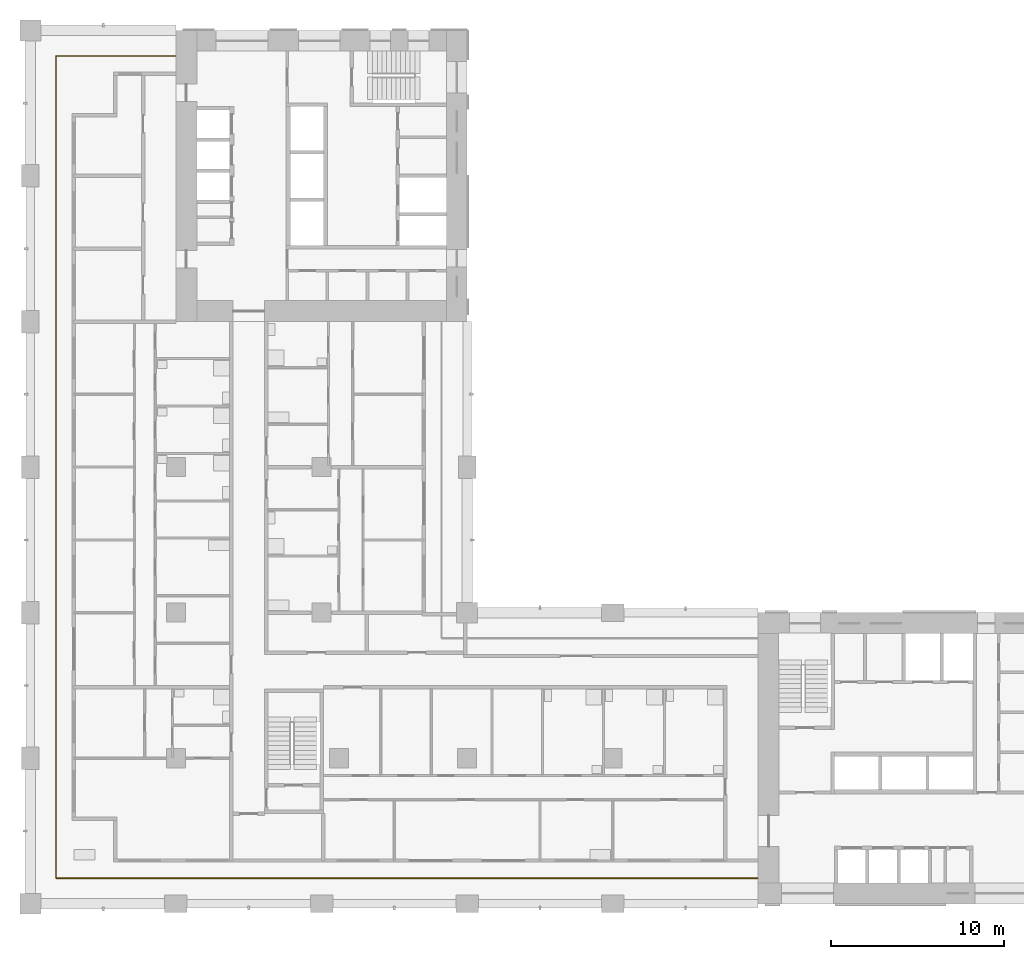
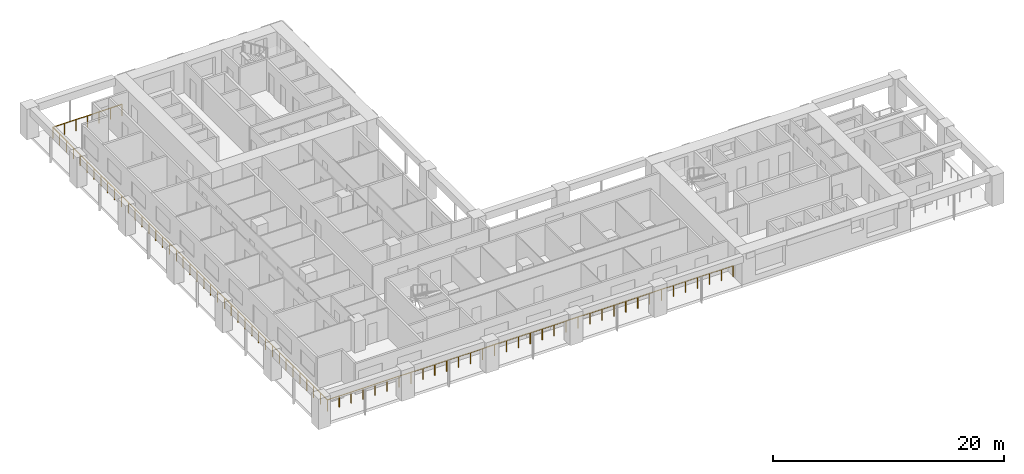
# One storey, part 11 of 17: 1 railing.
"""IFC4 building model written with IfcOpenShell, lengths in metres."""

from ifc_helpers import new_model, si_unit, direction, frame, origin, origin_2d, place, context, subcontext, project, spatial, circle, extrude, material, type_object, element, save


model = new_model("IFC4")

# Units and contexts
model_context = context("Model", 3, precision=1e-05, world=origin(), true_north=direction((0.0, 1.0)))
body_context = subcontext(model_context, "Body", "Model", "MODEL_VIEW")
ifc_project = project(units=[si_unit("LENGTHUNIT", "METRE"), si_unit("AREAUNIT", "SQUARE_METRE"), si_unit("VOLUMEUNIT", "CUBIC_METRE"), si_unit("PLANEANGLEUNIT", "RADIAN"), si_unit("MASSUNIT", "GRAM", prefix="KILO")], contexts=[model_context])

# Site, building, storey
site_placement = place(None, origin())
site = spatial("IfcSite", under=ifc_project, at=site_placement, CompositionType="ELEMENT")
building_placement = place(site_placement, origin())
building = spatial("IfcBuilding", under=site, at=building_placement, Name="Vermilion Gate Residences", CompositionType="ELEMENT")
storey_placement = place(building_placement, frame((0.0, 0.0, 95.199951171875)))
storey = spatial("IfcBuildingStorey", under=building, at=storey_placement, Name="L23", CompositionType="ELEMENT", Elevation=95.199951171875)

# Railing
ifc_material = material(Name="Stainless steel and toughened glass", Category="steel")
railing_type = type_object("IfcRailingType", Name="LOGGIA GUARD STEEL AND GLASS 1200", PredefinedType="GUARDRAIL", material=ifc_material)
railing_placement = place(storey_placement, frame((8.3779296875, 57.324951171875, 0.0)))
element("IfcRailing", 1, at=railing_placement, inside=storey, type_object=railing_type, Name="Loggia guard", PredefinedType="GUARDRAIL", context=body_context, shape_type="SweptSolid", body=[
    extrude(circle(Radius=0.030029296875, at=origin_2d()), frame((0.0, 0.0, 1.169921875), z_axis=(-1.0, 0.0, 0.0), x_axis=(0.0, -1.0, 0.0)), (0.0, 0.0, 1.0), 6.90283203125),
    extrude(circle(Radius=0.030029296875, at=origin_2d()), frame((-6.90283203125, 0.0, 1.169921875), z_axis=(0.0, -1.0, 0.0), x_axis=(1.0, 0.0, 0.0)), (0.0, 0.0, 1.0), 47.449951171875),
    extrude(circle(Radius=0.030029296875, at=origin_2d()), frame((-6.90283203125, -47.449951171875, 1.169921875), z_axis=(1.0, 0.0, 0.0), x_axis=(0.0, 1.0, 0.0)), (0.0, 0.0, 1.0), 40.5029296875),
    extrude(circle(Radius=0.02490234375, at=origin_2d()), origin(), (0.0, 0.0, 1.0), 1.139892578125),
    extrude(circle(Radius=0.02490234375, at=origin_2d()), frame((-1.150390625, 0.0, 0.0)), (0.0, 0.0, 1.0), 1.139892578125),
    extrude(circle(Radius=0.02490234375, at=origin_2d()), frame((-2.301025390625, 0.0, 0.0)), (0.0, 0.0, 1.0), 1.139892578125),
    extrude(circle(Radius=0.02490234375, at=origin_2d()), frame((-3.451416015625, 0.0, 0.0)), (0.0, 0.0, 1.0), 1.139892578125),
    extrude(circle(Radius=0.02490234375, at=origin_2d()), frame((-4.601806640625, 0.0, 0.0)), (0.0, 0.0, 1.0), 1.139892578125),
    extrude(circle(Radius=0.02490234375, at=origin_2d()), frame((-5.75244140625, 0.0, 0.0)), (0.0, 0.0, 1.0), 1.139892578125),
    extrude(circle(Radius=0.02490234375, at=origin_2d()), frame((-6.90283203125, 0.0, 0.0)), (0.0, 0.0, 1.0), 1.139892578125),
    extrude(circle(Radius=0.02490234375, at=origin_2d()), frame((-6.90283203125, -1.186279296875, 0.0)), (0.0, 0.0, 1.0), 1.139892578125),
    extrude(circle(Radius=0.02490234375, at=origin_2d()), frame((-6.90283203125, -2.37255859375, 0.0)), (0.0, 0.0, 1.0), 1.139892578125),
    extrude(circle(Radius=0.02490234375, at=origin_2d()), frame((-6.90283203125, -3.558837890625, 0.0)), (0.0, 0.0, 1.0), 1.139892578125),
    extrude(circle(Radius=0.02490234375, at=origin_2d()), frame((-6.90283203125, -4.7451171875, 0.0)), (0.0, 0.0, 1.0), 1.139892578125),
    extrude(circle(Radius=0.02490234375, at=origin_2d()), frame((-6.90283203125, -5.93115234375, 0.0)), (0.0, 0.0, 1.0), 1.139892578125),
    extrude(circle(Radius=0.02490234375, at=origin_2d()), frame((-6.90283203125, -7.117431640625, 0.0)), (0.0, 0.0, 1.0), 1.139892578125),
    extrude(circle(Radius=0.02490234375, at=origin_2d()), frame((-6.90283203125, -8.3037109375, 0.0)), (0.0, 0.0, 1.0), 1.139892578125),
    extrude(circle(Radius=0.02490234375, at=origin_2d()), frame((-6.90283203125, -9.489990234375, 0.0)), (0.0, 0.0, 1.0), 1.139892578125),
    extrude(circle(Radius=0.02490234375, at=origin_2d()), frame((-6.90283203125, -10.67626953125, 0.0)), (0.0, 0.0, 1.0), 1.139892578125),
    extrude(circle(Radius=0.02490234375, at=origin_2d()), frame((-6.90283203125, -11.862548828125, 0.0)), (0.0, 0.0, 1.0), 1.139892578125),
    extrude(circle(Radius=0.02490234375, at=origin_2d()), frame((-6.90283203125, -13.048828125, 0.0)), (0.0, 0.0, 1.0), 1.139892578125),
    extrude(circle(Radius=0.02490234375, at=origin_2d()), frame((-6.90283203125, -14.23486328125, 0.0)), (0.0, 0.0, 1.0), 1.139892578125),
    extrude(circle(Radius=0.02490234375, at=origin_2d()), frame((-6.90283203125, -15.421142578125, 0.0)), (0.0, 0.0, 1.0), 1.139892578125),
    extrude(circle(Radius=0.02490234375, at=origin_2d()), frame((-6.90283203125, -16.607421875, 0.0)), (0.0, 0.0, 1.0), 1.139892578125),
    extrude(circle(Radius=0.02490234375, at=origin_2d()), frame((-6.90283203125, -17.793701171875, 0.0)), (0.0, 0.0, 1.0), 1.139892578125),
    extrude(circle(Radius=0.02490234375, at=origin_2d()), frame((-6.90283203125, -18.97998046875, 0.0)), (0.0, 0.0, 1.0), 1.139892578125),
    extrude(circle(Radius=0.02490234375, at=origin_2d()), frame((-6.90283203125, -20.166259765625, 0.0)), (0.0, 0.0, 1.0), 1.139892578125),
    extrude(circle(Radius=0.02490234375, at=origin_2d()), frame((-6.90283203125, -21.3525390625, 0.0)), (0.0, 0.0, 1.0), 1.139892578125),
    extrude(circle(Radius=0.02490234375, at=origin_2d()), frame((-6.90283203125, -22.538818359375, 0.0)), (0.0, 0.0, 1.0), 1.139892578125),
    extrude(circle(Radius=0.02490234375, at=origin_2d()), frame((-6.90283203125, -23.72509765625, 0.0)), (0.0, 0.0, 1.0), 1.139892578125),
    extrude(circle(Radius=0.02490234375, at=origin_2d()), frame((-6.90283203125, -24.9111328125, 0.0)), (0.0, 0.0, 1.0), 1.139892578125),
    extrude(circle(Radius=0.02490234375, at=origin_2d()), frame((-6.90283203125, -26.097412109375, 0.0)), (0.0, 0.0, 1.0), 1.139892578125),
    extrude(circle(Radius=0.02490234375, at=origin_2d()), frame((-6.90283203125, -27.28369140625, 0.0)), (0.0, 0.0, 1.0), 1.139892578125),
    extrude(circle(Radius=0.02490234375, at=origin_2d()), frame((-6.90283203125, -28.469970703125, 0.0)), (0.0, 0.0, 1.0), 1.139892578125),
    extrude(circle(Radius=0.02490234375, at=origin_2d()), frame((-6.90283203125, -29.65625, 0.0)), (0.0, 0.0, 1.0), 1.139892578125),
    extrude(circle(Radius=0.02490234375, at=origin_2d()), frame((-6.90283203125, -30.842529296875, 0.0)), (0.0, 0.0, 1.0), 1.139892578125),
    extrude(circle(Radius=0.02490234375, at=origin_2d()), frame((-6.90283203125, -32.02880859375, 0.0)), (0.0, 0.0, 1.0), 1.139892578125),
    extrude(circle(Radius=0.02490234375, at=origin_2d()), frame((-6.90283203125, -33.21484375, 0.0)), (0.0, 0.0, 1.0), 1.139892578125),
    extrude(circle(Radius=0.02490234375, at=origin_2d()), frame((-6.90283203125, -34.401123046875, 0.0)), (0.0, 0.0, 1.0), 1.139892578125),
    extrude(circle(Radius=0.02490234375, at=origin_2d()), frame((-6.90283203125, -35.58740234375, 0.0)), (0.0, 0.0, 1.0), 1.139892578125),
    extrude(circle(Radius=0.02490234375, at=origin_2d()), frame((-6.90283203125, -36.773681640625, 0.0)), (0.0, 0.0, 1.0), 1.139892578125),
    extrude(circle(Radius=0.02490234375, at=origin_2d()), frame((-6.90283203125, -37.9599609375, 0.0)), (0.0, 0.0, 1.0), 1.139892578125),
    extrude(circle(Radius=0.02490234375, at=origin_2d()), frame((-6.90283203125, -39.146240234375, 0.0)), (0.0, 0.0, 1.0), 1.139892578125),
    extrude(circle(Radius=0.02490234375, at=origin_2d()), frame((-6.90283203125, -40.33251953125, 0.0)), (0.0, 0.0, 1.0), 1.139892578125),
    extrude(circle(Radius=0.02490234375, at=origin_2d()), frame((-6.90283203125, -41.518798828125, 0.0)), (0.0, 0.0, 1.0), 1.139892578125),
    extrude(circle(Radius=0.02490234375, at=origin_2d()), frame((-6.90283203125, -42.705078125, 0.0)), (0.0, 0.0, 1.0), 1.139892578125),
    extrude(circle(Radius=0.02490234375, at=origin_2d()), frame((-6.90283203125, -43.89111328125, 0.0)), (0.0, 0.0, 1.0), 1.139892578125),
    extrude(circle(Radius=0.02490234375, at=origin_2d()), frame((-6.90283203125, -45.077392578125, 0.0)), (0.0, 0.0, 1.0), 1.139892578125),
    extrude(circle(Radius=0.02490234375, at=origin_2d()), frame((-6.90283203125, -46.263671875, 0.0)), (0.0, 0.0, 1.0), 1.139892578125),
    extrude(circle(Radius=0.02490234375, at=origin_2d()), frame((-6.90283203125, -47.449951171875, 0.0)), (0.0, 0.0, 1.0), 1.139892578125),
    extrude(circle(Radius=0.02490234375, at=origin_2d()), frame((-5.711669921875, -47.449951171875, 0.0)), (0.0, 0.0, 1.0), 1.139892578125),
    extrude(circle(Radius=0.02490234375, at=origin_2d()), frame((-4.520263671875, -47.449951171875, 0.0)), (0.0, 0.0, 1.0), 1.139892578125),
    extrude(circle(Radius=0.02490234375, at=origin_2d()), frame((-3.3291015625, -47.449951171875, 0.0)), (0.0, 0.0, 1.0), 1.139892578125),
    extrude(circle(Radius=0.02490234375, at=origin_2d()), frame((-2.1376953125, -47.449951171875, 0.0)), (0.0, 0.0, 1.0), 1.139892578125),
    extrude(circle(Radius=0.02490234375, at=origin_2d()), frame((-0.946533203125, -47.449951171875, 0.0)), (0.0, 0.0, 1.0), 1.139892578125),
    extrude(circle(Radius=0.02490234375, at=origin_2d()), frame((0.24462890625, -47.449951171875, 0.0)), (0.0, 0.0, 1.0), 1.139892578125),
    extrude(circle(Radius=0.02490234375, at=origin_2d()), frame((1.43603515625, -47.449951171875, 0.0)), (0.0, 0.0, 1.0), 1.139892578125),
    extrude(circle(Radius=0.02490234375, at=origin_2d()), frame((2.627197265625, -47.449951171875, 0.0)), (0.0, 0.0, 1.0), 1.139892578125),
    extrude(circle(Radius=0.02490234375, at=origin_2d()), frame((3.818603515625, -47.449951171875, 0.0)), (0.0, 0.0, 1.0), 1.139892578125),
    extrude(circle(Radius=0.02490234375, at=origin_2d()), frame((5.009765625, -47.449951171875, 0.0)), (0.0, 0.0, 1.0), 1.139892578125),
    extrude(circle(Radius=0.02490234375, at=origin_2d()), frame((6.201171875, -47.449951171875, 0.0)), (0.0, 0.0, 1.0), 1.139892578125),
    extrude(circle(Radius=0.02490234375, at=origin_2d()), frame((7.392333984375, -47.449951171875, 0.0)), (0.0, 0.0, 1.0), 1.139892578125),
    extrude(circle(Radius=0.02490234375, at=origin_2d()), frame((8.58349609375, -47.449951171875, 0.0)), (0.0, 0.0, 1.0), 1.139892578125),
    extrude(circle(Radius=0.02490234375, at=origin_2d()), frame((9.77490234375, -47.449951171875, 0.0)), (0.0, 0.0, 1.0), 1.139892578125),
    extrude(circle(Radius=0.02490234375, at=origin_2d()), frame((10.966064453125, -47.449951171875, 0.0)), (0.0, 0.0, 1.0), 1.139892578125),
    extrude(circle(Radius=0.02490234375, at=origin_2d()), frame((12.157470703125, -47.449951171875, 0.0)), (0.0, 0.0, 1.0), 1.139892578125),
    extrude(circle(Radius=0.02490234375, at=origin_2d()), frame((13.3486328125, -47.449951171875, 0.0)), (0.0, 0.0, 1.0), 1.139892578125),
    extrude(circle(Radius=0.02490234375, at=origin_2d()), frame((14.539794921875, -47.449951171875, 0.0)), (0.0, 0.0, 1.0), 1.139892578125),
    extrude(circle(Radius=0.02490234375, at=origin_2d()), frame((15.731201171875, -47.449951171875, 0.0)), (0.0, 0.0, 1.0), 1.139892578125),
    extrude(circle(Radius=0.02490234375, at=origin_2d()), frame((16.92236328125, -47.449951171875, 0.0)), (0.0, 0.0, 1.0), 1.139892578125),
    extrude(circle(Radius=0.02490234375, at=origin_2d()), frame((18.11376953125, -47.449951171875, 0.0)), (0.0, 0.0, 1.0), 1.139892578125),
    extrude(circle(Radius=0.02490234375, at=origin_2d()), frame((19.304931640625, -47.449951171875, 0.0)), (0.0, 0.0, 1.0), 1.139892578125),
    extrude(circle(Radius=0.02490234375, at=origin_2d()), frame((20.49609375, -47.449951171875, 0.0)), (0.0, 0.0, 1.0), 1.139892578125),
    extrude(circle(Radius=0.02490234375, at=origin_2d()), frame((21.6875, -47.449951171875, 0.0)), (0.0, 0.0, 1.0), 1.139892578125),
    extrude(circle(Radius=0.02490234375, at=origin_2d()), frame((22.878662109375, -47.449951171875, 0.0)), (0.0, 0.0, 1.0), 1.139892578125),
    extrude(circle(Radius=0.02490234375, at=origin_2d()), frame((24.070068359375, -47.449951171875, 0.0)), (0.0, 0.0, 1.0), 1.139892578125),
    extrude(circle(Radius=0.02490234375, at=origin_2d()), frame((25.26123046875, -47.449951171875, 0.0)), (0.0, 0.0, 1.0), 1.139892578125),
    extrude(circle(Radius=0.02490234375, at=origin_2d()), frame((26.45263671875, -47.449951171875, 0.0)), (0.0, 0.0, 1.0), 1.139892578125),
    extrude(circle(Radius=0.02490234375, at=origin_2d()), frame((27.643798828125, -47.449951171875, 0.0)), (0.0, 0.0, 1.0), 1.139892578125),
    extrude(circle(Radius=0.02490234375, at=origin_2d()), frame((28.8349609375, -47.449951171875, 0.0)), (0.0, 0.0, 1.0), 1.139892578125),
    extrude(circle(Radius=0.02490234375, at=origin_2d()), frame((30.0263671875, -47.449951171875, 0.0)), (0.0, 0.0, 1.0), 1.139892578125),
    extrude(circle(Radius=0.02490234375, at=origin_2d()), frame((31.217529296875, -47.449951171875, 0.0)), (0.0, 0.0, 1.0), 1.139892578125),
    extrude(circle(Radius=0.02490234375, at=origin_2d()), frame((32.408935546875, -47.449951171875, 0.0)), (0.0, 0.0, 1.0), 1.139892578125),
    extrude(circle(Radius=0.02490234375, at=origin_2d()), frame((33.60009765625, -47.449951171875, 0.0)), (0.0, 0.0, 1.0), 1.139892578125),
])

save(model, "model.ifc")
